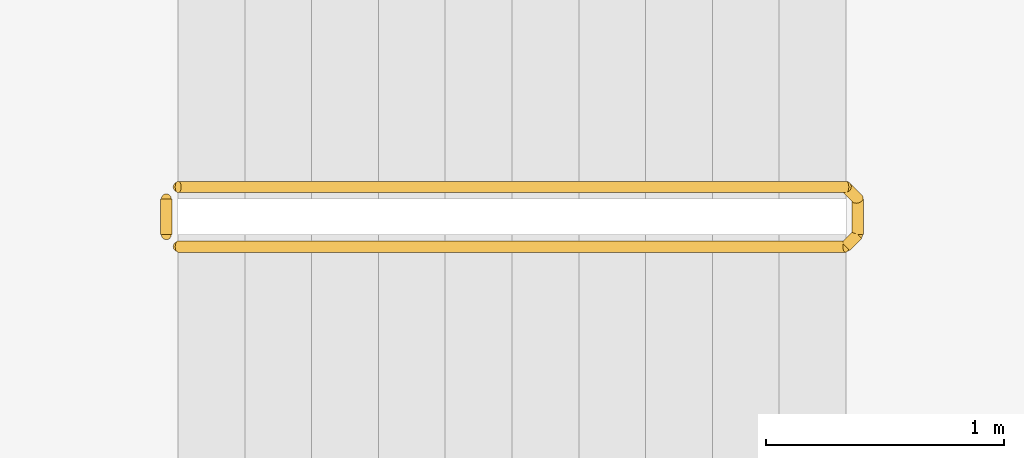
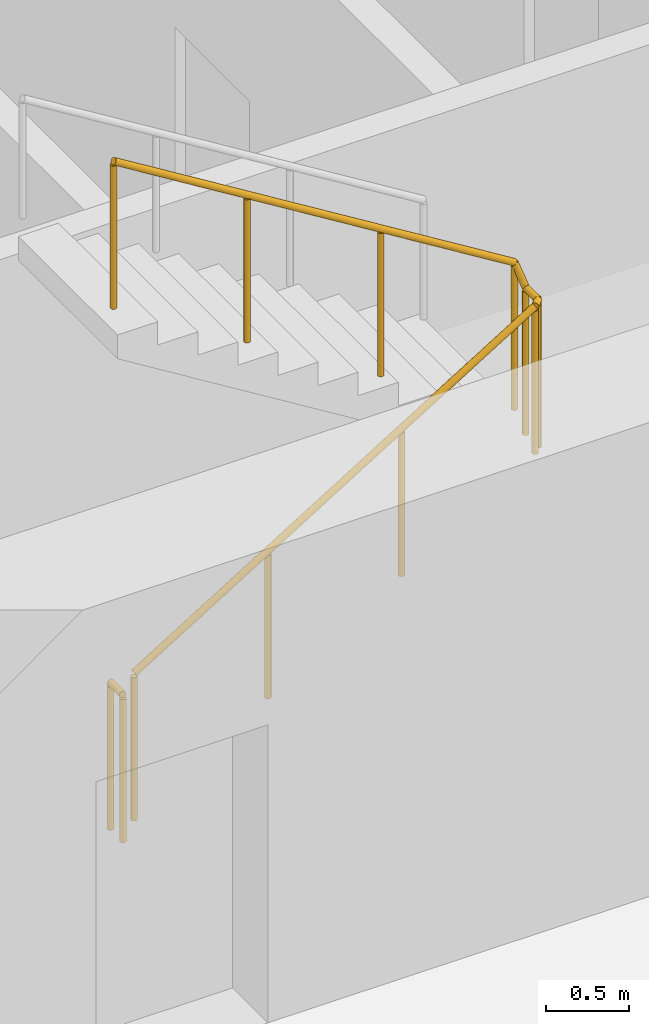
# One storey, part 10 of 14: 2 railings.
"""IFC4 building model written with IfcOpenShell, lengths in metres."""

from ifc_helpers import new_model, si_unit, direction, frame, origin, origin_2d, place, context, subcontext, project, spatial, circle, extrude, material, type_object, element, save


model = new_model("IFC4")

# Units and contexts
model_context = context("Model", 3, precision=1e-05, world=origin(), true_north=direction((0.0, 1.0)))
body_context = subcontext(model_context, "Body", "Model", "MODEL_VIEW")
ifc_project = project(units=[si_unit("LENGTHUNIT", "METRE"), si_unit("AREAUNIT", "SQUARE_METRE"), si_unit("VOLUMEUNIT", "CUBIC_METRE"), si_unit("PLANEANGLEUNIT", "RADIAN"), si_unit("MASSUNIT", "GRAM", prefix="KILO")], contexts=[model_context])

# Site, building, storey
site_placement = place(None, origin())
site = spatial("IfcSite", under=ifc_project, at=site_placement, CompositionType="ELEMENT")
building_placement = place(site_placement, origin())
building = spatial("IfcBuilding", under=site, at=building_placement, Name="Orbiselva Terraces", CompositionType="ELEMENT")
storey_placement = place(building_placement, frame((0.0, 0.0, 80.8)))
storey = spatial("IfcBuildingStorey", under=building, at=storey_placement, Name="L20", CompositionType="ELEMENT", Elevation=80.8)

# Railings
ifc_material = material(Name="Stainless steel", Category="steel")
railing_type = type_object("IfcRailingType", Name="CORE-GUARD-1100", PredefinedType="GUARDRAIL", material=ifc_material)
railing_1_placement = place(storey_placement, frame((-7.15, 6.55, 0.172727)))
element("IfcRailing", 1, at=railing_1_placement, inside=storey, type_object=railing_type, Name="L20 S3 stair guard 1", PredefinedType="GUARDRAIL", context=body_context, shape_type="SweptSolid", body=[
    extrude(circle(Radius=0.024, at=origin_2d()), frame((0.0, 0.0, 1.081), z_axis=(0.851088519012, 0.0, 0.52502222125), x_axis=(0.0, 1.0, 0.0)), (0.0, 0.0, 1.0), 3.289905),
    extrude(circle(Radius=0.024, at=origin_2d()), frame((2.8, 0.0, 2.808273), z_axis=(0.707106781187, 0.707106781187, 0.0), x_axis=(-0.707106781187, 0.707106781187, 0.0)), (0.0, 0.0, 1.0), 0.070711),
    extrude(circle(Radius=0.024, at=origin_2d()), frame((2.85, 0.05, 2.808273), z_axis=(0.0, 1.0, 0.0), x_axis=(-1.0, 0.0, 0.0)), (0.0, 0.0, 1.0), 0.15),
    extrude(circle(Radius=0.024, at=origin_2d()), frame((2.85, 0.2, 2.808273), z_axis=(-0.267894925557, 0.267894925557, 0.925453736133), x_axis=(-0.707106781187, -0.707106781187, 0.0)), (0.0, 0.0, 1.0), 0.18664),
    extrude(circle(Radius=0.024, at=origin_2d()), frame((2.8, 0.25, 2.981), z_axis=(-0.851088519012, 0.0, 0.52502222125), x_axis=(0.0, -1.0, 0.0)), (0.0, 0.0, 1.0), 3.289905),
    extrude(circle(Radius=0.021, at=origin_2d()), origin(), (0.0, 0.0, 1.0), 1.057),
    extrude(circle(Radius=0.021, at=origin_2d()), frame((0.933333, 0.0, 0.575758)), (0.0, 0.0, 1.0), 1.057),
    extrude(circle(Radius=0.021, at=origin_2d()), frame((1.866667, 0.0, 1.151515)), (0.0, 0.0, 1.0), 1.057),
    extrude(circle(Radius=0.021, at=origin_2d()), frame((2.8, 0.0, 1.727273)), (0.0, 0.0, 1.0), 1.057),
    extrude(circle(Radius=0.021, at=origin_2d()), frame((2.85, 0.05, 1.727273)), (0.0, 0.0, 1.0), 1.057),
    extrude(circle(Radius=0.021, at=origin_2d()), frame((2.85, 0.2, 1.727273)), (0.0, 0.0, 1.0), 1.057),
    extrude(circle(Radius=0.021, at=origin_2d()), frame((2.8, 0.25, 1.9)), (0.0, 0.0, 1.0), 1.057),
    extrude(circle(Radius=0.021, at=origin_2d()), frame((1.866667, 0.25, 2.475758)), (0.0, 0.0, 1.0), 1.057),
    extrude(circle(Radius=0.021, at=origin_2d()), frame((0.933333, 0.25, 3.051515)), (0.0, 0.0, 1.0), 1.057),
    extrude(circle(Radius=0.021, at=origin_2d()), frame((0.0, 0.25, 3.627273)), (0.0, 0.0, 1.0), 1.057),
])
railing_2_placement = place(storey_placement, frame((-7.2, 6.6, 0.0)))
element("IfcRailing", 2, at=railing_2_placement, inside=storey, type_object=railing_type, Name="L20 S3 stair guard 2", PredefinedType="GUARDRAIL", context=body_context, shape_type="SweptSolid", body=[
    extrude(circle(Radius=0.024, at=origin_2d()), frame((0.0, 0.0, 1.081), z_axis=(0.0, 1.0, 0.0), x_axis=(-1.0, 0.0, 0.0)), (0.0, 0.0, 1.0), 0.15),
    extrude(circle(Radius=0.021, at=origin_2d()), origin(), (0.0, 0.0, 1.0), 1.057),
    extrude(circle(Radius=0.021, at=origin_2d()), frame((0.0, 0.15, 0.0)), (0.0, 0.0, 1.0), 1.057),
])

save(model, "model.ifc")
